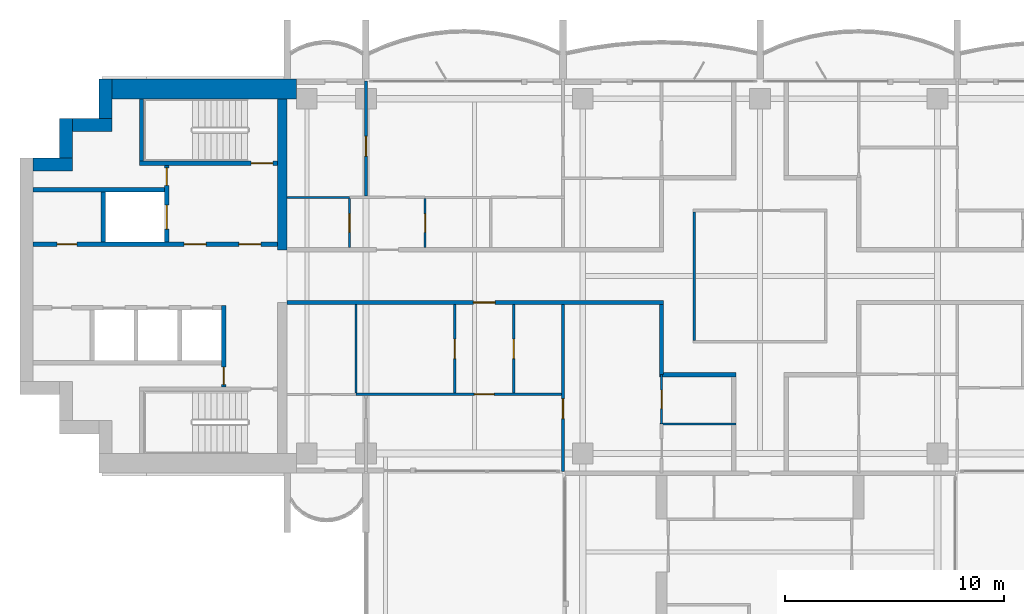
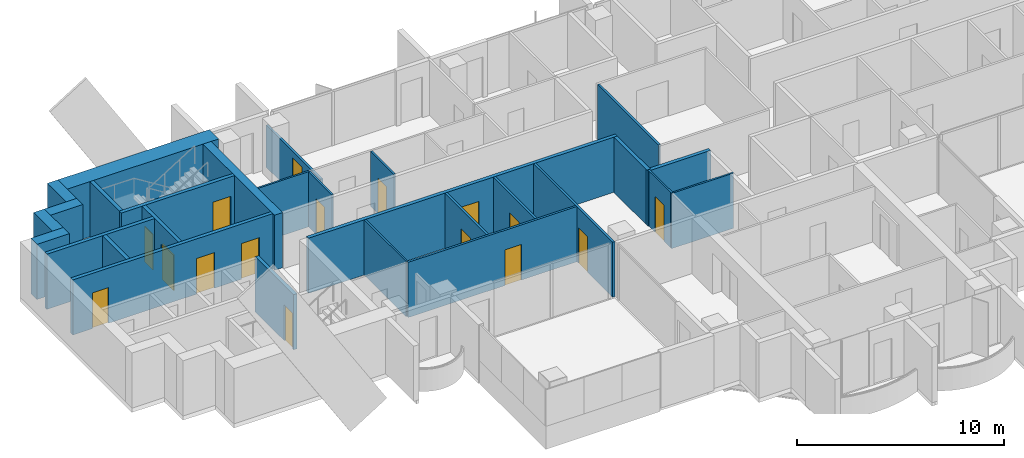
# One storey, part 9 of 17: 28 walls, 16 doors, 16 openings.
"""IFC4 building model written with IfcOpenShell, lengths in metres."""

from ifc_helpers import new_model, si_unit, direction, frame, frame_2d, origin, place, context, subcontext, project, spatial, rectangle, extrude, material, layer, layer_set, type_object, element, fill, save


model = new_model("IFC4")

# Units and contexts
model_context = context("Model", 3, precision=1e-05, world=origin(), true_north=direction((0.0, 1.0)))
body_context = subcontext(model_context, "Body", "Model", "MODEL_VIEW")
ifc_project = project(units=[si_unit("LENGTHUNIT", "METRE"), si_unit("AREAUNIT", "SQUARE_METRE"), si_unit("VOLUMEUNIT", "CUBIC_METRE"), si_unit("PLANEANGLEUNIT", "RADIAN"), si_unit("MASSUNIT", "GRAM", prefix="KILO")], contexts=[model_context])

# Site, building, storey
site_placement = place(None, origin())
site = spatial("IfcSite", under=ifc_project, at=site_placement, CompositionType="ELEMENT")
building_placement = place(site_placement, origin())
building = spatial("IfcBuilding", under=site, at=building_placement, Name="Perihelion Cross Residences", CompositionType="ELEMENT")
storey_placement = place(building_placement, frame((0.0, 0.0, 208.60009765625)))
storey = spatial("IfcBuildingStorey", under=building, at=storey_placement, Name="L52", CompositionType="ELEMENT", Elevation=208.60009765625)

# Wall, opening, door
ifc_material_1 = material(Name="Plasterboard partition")
ifc_layer_1 = layer(ifc_material_1, 0.199951171875)
ifc_layer_set_1 = layer_set([ifc_layer_1], Name="Apartment separation wall 200")
wall_type_1 = type_object("IfcWallType", Name="Apartment separation wall 200", PredefinedType="PARTITIONING", material=ifc_layer_set_1)
wall_1_placement = place(storey_placement, frame((-4.39990234375, -1.199951171875, 0.0), z_axis=(0.0, 0.0, 1.0), x_axis=(-1.0, 0.0, 0.0)))
wall_1 = element("IfcWall", 1, at=wall_1_placement, inside=storey, type_object=wall_type_1, Name="Partition L52 W017", PredefinedType="PARTITIONING", context=body_context, shape_type="SweptSolid", body=[
    extrude(rectangle(XDim=17.2001953125, YDim=0.199951171875, at=frame_2d((8.60009765625, 0.0))), origin(), (0.0, 0.0, 1.0), 3.25),
])
opening_1_placement = place(wall_1_placement, frame((7.699951171875, 0.0, 0.0)))
opening_1 = element("IfcOpeningElement", 2, at=opening_1_placement, cuts=wall_1, Name="Opening L52.A44", PredefinedType="OPENING", context=body_context, shape_type="SweptSolid", body=[
    extrude(rectangle(XDim=1.0, YDim=2.10009765625, at=frame_2d((0.5, 1.050048828125))), frame((0.0, 0.10986328125, 0.0), z_axis=(0.0, -1.0, 0.0), x_axis=(1.0, 0.0, 0.0)), (0.0, 0.0, 1.0), 0.219970703125),
])
ifc_material_2 = material(Name="Timber door leaf", Category="wood")
door_type_1 = type_object("IfcDoorType", Name="Flat entrance door 1000 x 2100", OperationType="SINGLE_SWING_LEFT", PredefinedType="DOOR", material=ifc_material_2)
door_1_placement = place(opening_1_placement, origin())
door_1 = element("IfcDoor", 3, at=door_1_placement, inside=storey, type_object=door_type_1, Name="Door L52.A44", OperationType="SINGLE_SWING_LEFT", OverallHeight=2.10009765625, OverallWidth=1.0, PredefinedType="DOOR", context=body_context, shape_type="SweptSolid", body=[
    extrude(rectangle(XDim=1.0, YDim=2.10009765625, at=frame_2d((0.5, 1.050048828125))), frame((0.0, 0.02490234375, 0.0), z_axis=(0.0, -1.0, 0.0), x_axis=(1.0, 0.0, 0.0)), (0.0, 0.0, 1.0), 0.050048828125),
])
fill(opening_1, door_1)

# Walls
wall_2_placement = place(storey_placement, frame((-4.5, -4.5, 0.0), z_axis=(0.0, 0.0, 1.0), x_axis=(0.0, 1.0, 0.0)))
element("IfcWall", 4, at=wall_2_placement, inside=storey, type_object=wall_type_1, Name="Partition L52 W018", PredefinedType="PARTITIONING", context=body_context, shape_type="SweptSolid", body=[
    extrude(rectangle(XDim=3.199951171875, YDim=0.199951171875, at=frame_2d((1.60009765625, 0.0))), origin(), (0.0, 0.0, 1.0), 3.25),
])
wall_3_placement = place(storey_placement, frame((-1.10009765625, -4.5, 0.0), z_axis=(0.0, 0.0, 1.0), x_axis=(-1.0, 0.0, 0.0)))
element("IfcWall", 5, at=wall_3_placement, inside=storey, type_object=wall_type_1, Name="Partition L52 W020", PredefinedType="PARTITIONING", context=body_context, shape_type="SweptSolid", body=[
    extrude(rectangle(XDim=3.5, YDim=0.199951171875, at=frame_2d((1.75, 0.0))), origin(), (0.0, 0.0, 1.0), 3.25),
])
ifc_material_3 = material(Name="Concrete C60/75", Category="concrete")
ifc_layer_2 = layer(ifc_material_3, 0.449951171875)
ifc_layer_set_2 = layer_set([ifc_layer_2], Name="Core wall, inner 450")
wall_type_2 = type_object("IfcWallType", Name="Core wall, inner 450", PredefinedType="SHEAR", material=ifc_layer_set_2)
wall_4_placement = place(storey_placement, frame((-21.824951171875, 1.199951171875, 0.0), z_axis=(0.0, 0.0, 1.0), x_axis=(0.0, 1.0, 0.0)))
element("IfcWall", 6, at=wall_4_placement, inside=storey, type_object=wall_type_2, Name="West core core wall, inner", PredefinedType="SHEAR", context=body_context, shape_type="SweptSolid", body=[
    extrude(rectangle(XDim=6.900146484375, YDim=0.449951171875, at=frame_2d((3.4501953125, 0.0))), origin(), (0.0, 0.0, 1.0), 3.25),
])
ifc_material_4 = material(Name="Concrete C60/75", Category="concrete")
ifc_layer_3 = layer(ifc_material_4, 0.60009765625)
ifc_layer_set_3 = layer_set([ifc_layer_3], Name="Core wall, outer 600")
wall_type_3 = type_object("IfcWallType", Name="Core wall, outer 600", PredefinedType="SHEAR", material=ifc_layer_set_3)
for number, where, z_axis, x_axis, name in (
    (7, (-33.199951171875, 5.10009765625, 0.0), (0.0, 0.0, 1.0), (1.0, 0.0, 0.0), "West core core wall, outer"),
    (8, (-31.699951171875, 5.39990234375, 0.0), (0.0, 0.0, 1.0), (0.0, 1.0, 0.0), "West core core wall, outer"),
):
    element("IfcWall", number, at=place(storey_placement, frame(where, z_axis=z_axis, x_axis=x_axis)), inside=storey, type_object=wall_type_3, Name=name, PredefinedType="SHEAR", context=body_context, shape_type="SweptSolid", body=[
        extrude(rectangle(XDim=1.800048828125, YDim=0.60009765625, at=frame_2d((0.89990234375, 0.0))), origin(), (0.0, 0.0, 1.0), 3.25),
    ])
wall_5_placement = place(storey_placement, frame((-31.39990234375, 6.89990234375, 0.0), z_axis=(0.0, 0.0, 1.0), x_axis=(1.0, 0.0, 0.0)))
element("IfcWall", 9, at=wall_5_placement, inside=storey, type_object=wall_type_3, Name="West core core wall, outer", PredefinedType="SHEAR", context=body_context, shape_type="SweptSolid", body=[
    extrude(rectangle(XDim=1.7998046875, YDim=0.60009765625, at=frame_2d((0.89990234375, 0.0))), origin(), (0.0, 0.0, 1.0), 3.25),
])
wall_6_placement = place(storey_placement, frame((-29.89990234375, 7.199951171875, 0.0), z_axis=(0.0, 0.0, 1.0), x_axis=(0.0, 1.0, 0.0)))
element("IfcWall", 10, at=wall_6_placement, inside=storey, type_object=wall_type_3, Name="West core core wall, outer", PredefinedType="SHEAR", context=body_context, shape_type="SweptSolid", body=[
    extrude(rectangle(XDim=1.800048828125, YDim=0.60009765625, at=frame_2d((0.89990234375, 0.0))), origin(), (0.0, 0.0, 1.0), 3.25),
])
ifc_material_5 = material(Name="Concrete C60/75", Category="concrete")
ifc_layer_4 = layer(ifc_material_5, 0.89990234375)
ifc_layer_set_4 = layer_set([ifc_layer_4], Name="Core wall, outer 900")
wall_type_4 = type_object("IfcWallType", Name="Core wall, outer 900", PredefinedType="SHEAR", material=ifc_layer_set_4)
wall_7_placement = place(storey_placement, frame((-29.60009765625, 8.550048828125, 0.0), z_axis=(0.0, 0.0, 1.0), x_axis=(1.0, 0.0, 0.0)))
element("IfcWall", 11, at=wall_7_placement, inside=storey, type_object=wall_type_4, Name="West core core wall, outer", PredefinedType="SHEAR", context=body_context, shape_type="SweptSolid", body=[
    extrude(rectangle(XDim=8.425048828125, YDim=0.89990234375, at=frame_2d((4.21240234375, 0.0))), origin(), (0.0, 0.0, 1.0), 3.25),
])

# Wall, opening, door
ifc_material_6 = material(Name="Concrete C50/60", Category="concrete")
ifc_layer_5 = layer(ifc_material_6, 0.199951171875)
ifc_layer_set_5 = layer_set([ifc_layer_5], Name="Lobby wall 200")
wall_type_5 = type_object("IfcWallType", Name="Lobby wall 200", PredefinedType="SOLIDWALL", material=ifc_layer_set_5)
wall_8_placement = place(storey_placement, frame((-24.5, -5.050048828125, 0.0), z_axis=(0.0, 0.0, 1.0), x_axis=(0.0, 1.0, 0.0)))
wall_8 = element("IfcWall", 12, at=wall_8_placement, inside=storey, type_object=wall_type_5, Name="West core lobby wall", PredefinedType="SOLIDWALL", context=body_context, shape_type="SweptSolid", body=[
    extrude(rectangle(XDim=3.699951171875, YDim=0.199951171875, at=frame_2d((1.85009765625, 0.0))), origin(), (0.0, 0.0, 1.0), 3.25),
])
opening_2_placement = place(wall_8_placement, frame((0.10009765625, 0.0, 0.0)))
opening_2 = element("IfcOpeningElement", 13, at=opening_2_placement, cuts=wall_8, Name="Opening L52.C20", PredefinedType="OPENING", context=body_context, shape_type="SweptSolid", body=[
    extrude(rectangle(XDim=0.800048828125, YDim=2.10009765625, at=frame_2d((0.39990234375, 1.050048828125))), frame((0.0, 0.10986328125, 0.0), z_axis=(0.0, -1.0, 0.0), x_axis=(1.0, 0.0, 0.0)), (0.0, 0.0, 1.0), 0.219970703125),
])
ifc_material_7 = material(Name="Steel, powder coated", Category="steel")
door_type_2 = type_object("IfcDoorType", Name="Riser door 800", OperationType="SINGLE_SWING_LEFT", PredefinedType="DOOR", material=ifc_material_7)
door_2_placement = place(opening_2_placement, origin())
door_2 = element("IfcDoor", 14, at=door_2_placement, inside=storey, type_object=door_type_2, Name="West core riser door", OperationType="SINGLE_SWING_LEFT", OverallHeight=2.10009765625, OverallWidth=0.800048828125, PredefinedType="DOOR", context=body_context, shape_type="SweptSolid", body=[
    extrude(rectangle(XDim=0.800048828125, YDim=2.10009765625, at=frame_2d((0.39990234375, 1.050048828125))), frame((0.0, 0.02490234375, 0.0), z_axis=(0.0, -1.0, 0.0), x_axis=(1.0, 0.0, 0.0)), (0.0, 0.0, 1.0), 0.050048828125),
])
fill(opening_2, door_2)

# Wall
ifc_material_8 = material(Name="Plasterboard partition")
ifc_layer_6 = layer(ifc_material_8, 0.1201171875)
ifc_layer_set_6 = layer_set([ifc_layer_6], Name="Partition wall 120")
wall_type_6 = type_object("IfcWallType", Name="Partition wall 120", PredefinedType="PARTITIONING", material=ifc_layer_set_6)
wall_9_placement = place(storey_placement, frame((-3.0, 2.93994140625, 0.0), z_axis=(0.0, 0.0, 1.0), x_axis=(0.0, -1.0, 0.0)))
element("IfcWall", 15, at=wall_9_placement, inside=storey, type_object=wall_type_6, Name="Partition L52 W004", PredefinedType="PARTITIONING", context=body_context, shape_type="SweptSolid", body=[
    extrude(rectangle(XDim=5.8798828125, YDim=0.1201171875, at=frame_2d((2.93994140625, 0.0))), origin(), (0.0, 0.0, 1.0), 3.25),
])

# Wall, opening, door
wall_10_placement = place(storey_placement, frame((-18.0, 3.659912109375, 0.0), z_axis=(0.0, 0.0, 1.0), x_axis=(0.0, 1.0, 0.0)))
wall_10 = element("IfcWall", 16, at=wall_10_placement, inside=storey, type_object=wall_type_6, Name="Partition L52 W050", PredefinedType="PARTITIONING", context=body_context, shape_type="SweptSolid", body=[
    extrude(rectangle(XDim=5.260009765625, YDim=0.1201171875, at=frame_2d((2.6298828125, 0.0))), origin(), (0.0, 0.0, 1.0), 2.47998046875),
])
opening_3_placement = place(wall_10_placement, frame((1.820068359375, 0.0, 0.0)))
opening_3 = element("IfcOpeningElement", 17, at=opening_3_placement, cuts=wall_10, Name="Opening L52.A20", PredefinedType="OPENING", context=body_context, shape_type="SweptSolid", body=[
    extrude(rectangle(XDim=0.89990234375, YDim=2.10009765625, at=frame_2d((0.449951171875, 1.050048828125))), frame((0.0, 0.070068359375, 0.0), z_axis=(0.0, -1.0, 0.0), x_axis=(1.0, 0.0, 0.0)), (0.0, 0.0, 1.0), 0.14013671875),
])
ifc_material_9 = material(Name="Timber door leaf", Category="wood")
door_type_3 = type_object("IfcDoorType", Name="Interior room door 900 x 2100", OperationType="SINGLE_SWING_LEFT", PredefinedType="DOOR", material=ifc_material_9)
door_3_placement = place(opening_3_placement, origin())
door_3 = element("IfcDoor", 18, at=door_3_placement, inside=storey, type_object=door_type_3, Name="Door L52.A20", OperationType="SINGLE_SWING_RIGHT", OverallHeight=2.10009765625, OverallWidth=0.89990234375, PredefinedType="DOOR", context=body_context, shape_type="SweptSolid", body=[
    extrude(rectangle(XDim=0.89990234375, YDim=2.10009765625, at=frame_2d((0.449951171875, 1.050048828125))), frame((0.0, 0.02490234375, 0.0), z_axis=(0.0, -1.0, 0.0), x_axis=(1.0, 0.0, 0.0)), (0.0, 0.0, 1.0), 0.050048828125),
])
fill(opening_3, door_3)

wall_11_placement = place(storey_placement, frame((-11.25, -5.340087890625, 0.0), z_axis=(0.0, 0.0, 1.0), x_axis=(0.0, 1.0, 0.0)))
wall_11 = element("IfcWall", 19, at=wall_11_placement, inside=storey, type_object=wall_type_6, Name="Partition L52 W053", PredefinedType="PARTITIONING", context=body_context, shape_type="SweptSolid", body=[
    extrude(rectangle(XDim=4.0400390625, YDim=0.1201171875, at=frame_2d((2.02001953125, 0.0))), origin(), (0.0, 0.0, 1.0), 3.25),
])
opening_4_placement = place(wall_11_placement, frame((1.570068359375, 0.0, 0.0)))
opening_4 = element("IfcOpeningElement", 20, at=opening_4_placement, cuts=wall_11, Name="Opening L52.A32", PredefinedType="OPENING", context=body_context, shape_type="SweptSolid", body=[
    extrude(rectangle(XDim=0.89990234375, YDim=2.10009765625, at=frame_2d((0.449951171875, 1.050048828125))), frame((0.0, 0.070068359375, 0.0), z_axis=(0.0, -1.0, 0.0), x_axis=(1.0, 0.0, 0.0)), (0.0, 0.0, 1.0), 0.14013671875),
])
door_4_placement = place(opening_4_placement, origin())
door_4 = element("IfcDoor", 21, at=door_4_placement, inside=storey, type_object=door_type_3, Name="Door L52.A32", OperationType="SINGLE_SWING_LEFT", OverallHeight=2.10009765625, OverallWidth=0.89990234375, PredefinedType="DOOR", context=body_context, shape_type="SweptSolid", body=[
    extrude(rectangle(XDim=0.89990234375, YDim=2.10009765625, at=frame_2d((0.449951171875, 1.050048828125))), frame((0.0, 0.02490234375, 0.0), z_axis=(0.0, -1.0, 0.0), x_axis=(1.0, 0.0, 0.0)), (0.0, 0.0, 1.0), 0.050048828125),
])
fill(opening_4, door_4)

wall_12_placement = place(storey_placement, frame((-8.93994140625, -5.39990234375, 0.0), z_axis=(0.0, 0.0, 1.0), x_axis=(-1.0, 0.0, 0.0)))
wall_12 = element("IfcWall", 22, at=wall_12_placement, inside=storey, type_object=wall_type_6, Name="Partition L52 W054", PredefinedType="PARTITIONING", context=body_context, shape_type="SweptSolid", body=[
    extrude(rectangle(XDim=9.510009765625, YDim=0.1201171875, at=frame_2d((4.7548828125, 0.0))), origin(), (0.0, 0.0, 1.0), 3.25),
])
opening_5_placement = place(wall_12_placement, frame((3.2099609375, 0.0, 0.0)))
opening_5 = element("IfcOpeningElement", 23, at=opening_5_placement, cuts=wall_12, Name="Opening L52.A29", PredefinedType="OPENING", context=body_context, shape_type="SweptSolid", body=[
    extrude(rectangle(XDim=0.89990234375, YDim=2.10009765625, at=frame_2d((0.449951171875, 1.050048828125))), frame((0.0, 0.070068359375, 0.0), z_axis=(0.0, -1.0, 0.0), x_axis=(1.0, 0.0, 0.0)), (0.0, 0.0, 1.0), 0.14013671875),
])
door_5_placement = place(opening_5_placement, origin())
door_5 = element("IfcDoor", 24, at=door_5_placement, inside=storey, type_object=door_type_3, Name="Door L52.A29", OperationType="SINGLE_SWING_LEFT", OverallHeight=2.10009765625, OverallWidth=0.89990234375, PredefinedType="DOOR", context=body_context, shape_type="SweptSolid", body=[
    extrude(rectangle(XDim=0.89990234375, YDim=2.10009765625, at=frame_2d((0.449951171875, 1.050048828125))), frame((0.0, 0.02490234375, 0.0), z_axis=(0.0, -1.0, 0.0), x_axis=(1.0, 0.0, 0.0)), (0.0, 0.0, 1.0), 0.050048828125),
])
fill(opening_5, door_5)

wall_13_placement = place(storey_placement, frame((-9.0, -1.300048828125, 0.0), z_axis=(0.0, 0.0, 1.0), x_axis=(0.0, -1.0, 0.0)))
wall_13 = element("IfcWall", 25, at=wall_13_placement, inside=storey, type_object=wall_type_6, Name="Partition L52 W055", PredefinedType="PARTITIONING", context=body_context, shape_type="SweptSolid", body=[
    extrude(rectangle(XDim=7.619873046875, YDim=0.1201171875, at=frame_2d((3.81005859375, 0.0))), origin(), (0.0, 0.0, 1.0), 3.25),
])
opening_6_placement = place(wall_13_placement, frame((4.300048828125, 0.0, 0.0)))
opening_6 = element("IfcOpeningElement", 26, at=opening_6_placement, cuts=wall_13, Name="Opening L52.A30", PredefinedType="OPENING", context=body_context, shape_type="SweptSolid", body=[
    extrude(rectangle(XDim=0.89990234375, YDim=2.10009765625, at=frame_2d((0.449951171875, 1.050048828125))), frame((0.0, 0.070068359375, 0.0), z_axis=(0.0, -1.0, 0.0), x_axis=(1.0, 0.0, 0.0)), (0.0, 0.0, 1.0), 0.14013671875),
])
door_6_placement = place(opening_6_placement, origin())
door_6 = element("IfcDoor", 27, at=door_6_placement, inside=storey, type_object=door_type_3, Name="Door L52.A30", OperationType="SINGLE_SWING_RIGHT", OverallHeight=2.10009765625, OverallWidth=0.89990234375, PredefinedType="DOOR", context=body_context, shape_type="SweptSolid", body=[
    extrude(rectangle(XDim=0.89990234375, YDim=2.10009765625, at=frame_2d((0.449951171875, 1.050048828125))), frame((0.0, 0.02490234375, 0.0), z_axis=(0.0, -1.0, 0.0), x_axis=(1.0, 0.0, 0.0)), (0.0, 0.0, 1.0), 0.050048828125),
])
fill(opening_6, door_6)

wall_14_placement = place(storey_placement, frame((-13.949951171875, -5.340087890625, 0.0), z_axis=(0.0, 0.0, 1.0), x_axis=(0.0, 1.0, 0.0)))
wall_14 = element("IfcWall", 28, at=wall_14_placement, inside=storey, type_object=wall_type_6, Name="Partition L52 W056", PredefinedType="PARTITIONING", context=body_context, shape_type="SweptSolid", body=[
    extrude(rectangle(XDim=4.0400390625, YDim=0.1201171875, at=frame_2d((2.02001953125, 0.0))), origin(), (0.0, 0.0, 1.0), 3.25),
])
opening_7_placement = place(wall_14_placement, frame((1.570068359375, 0.0, 0.0)))
opening_7 = element("IfcOpeningElement", 29, at=opening_7_placement, cuts=wall_14, Name="Opening L52.A27", PredefinedType="OPENING", context=body_context, shape_type="SweptSolid", body=[
    extrude(rectangle(XDim=0.89990234375, YDim=2.10009765625, at=frame_2d((0.449951171875, 1.050048828125))), frame((0.0, 0.070068359375, 0.0), z_axis=(0.0, -1.0, 0.0), x_axis=(1.0, 0.0, 0.0)), (0.0, 0.0, 1.0), 0.14013671875),
])
door_7_placement = place(opening_7_placement, origin())
door_7 = element("IfcDoor", 30, at=door_7_placement, inside=storey, type_object=door_type_3, Name="Door L52.A27", OperationType="SINGLE_SWING_LEFT", OverallHeight=2.10009765625, OverallWidth=0.89990234375, PredefinedType="DOOR", context=body_context, shape_type="SweptSolid", body=[
    extrude(rectangle(XDim=0.89990234375, YDim=2.10009765625, at=frame_2d((0.449951171875, 1.050048828125))), frame((0.0, 0.02490234375, 0.0), z_axis=(0.0, -1.0, 0.0), x_axis=(1.0, 0.0, 0.0)), (0.0, 0.0, 1.0), 0.050048828125),
])
fill(opening_7, door_7)

# Wall, openings, doors
ifc_material_10 = material(Name="Concrete C50/60", Category="concrete")
ifc_layer_7 = layer(ifc_material_10, 0.199951171875)
ifc_layer_set_7 = layer_set([ifc_layer_7], Name="Shaft wall 200")
wall_type_7 = type_object("IfcWallType", Name="Shaft wall 200", PredefinedType="SOLIDWALL", material=ifc_layer_set_7)
wall_15_placement = place(storey_placement, frame((-33.199951171875, 1.449951171875, 0.0), z_axis=(0.0, 0.0, 1.0), x_axis=(1.0, 0.0, 0.0)))
wall_15 = element("IfcWall", 31, at=wall_15_placement, inside=storey, type_object=wall_type_7, Name="West core shaft wall", PredefinedType="SOLIDWALL", context=body_context, shape_type="SweptSolid", body=[
    extrude(rectangle(XDim=11.14990234375, YDim=0.199951171875, at=frame_2d((5.574951171875, 0.0))), origin(), (0.0, 0.0, 1.0), 3.25),
])
opening_8_placement = place(wall_15_placement, frame((9.39990234375, 0.0, 0.0)))
opening_8 = element("IfcOpeningElement", 32, at=opening_8_placement, cuts=wall_15, Name="Opening L52.C19", PredefinedType="OPENING", context=body_context, shape_type="SweptSolid", body=[
    extrude(rectangle(XDim=1.0, YDim=2.10009765625, at=frame_2d((0.5, 1.050048828125))), frame((0.0, 0.10986328125, 0.0), z_axis=(0.0, -1.0, 0.0), x_axis=(1.0, 0.0, 0.0)), (0.0, 0.0, 1.0), 0.219970703125),
])
opening_9_placement = place(wall_15_placement, frame((6.89990234375, 0.0, 0.0)))
opening_9 = element("IfcOpeningElement", 33, at=opening_9_placement, cuts=wall_15, Name="Opening L52.C21", PredefinedType="OPENING", context=body_context, shape_type="SweptSolid", body=[
    extrude(rectangle(XDim=1.0, YDim=2.10009765625, at=frame_2d((0.5, 1.050048828125))), frame((0.0, 0.10986328125, 0.0), z_axis=(0.0, -1.0, 0.0), x_axis=(1.0, 0.0, 0.0)), (0.0, 0.0, 1.0), 0.219970703125),
])
opening_10_placement = place(wall_15_placement, frame((1.10009765625, 0.0, 0.0)))
opening_10 = element("IfcOpeningElement", 34, at=opening_10_placement, cuts=wall_15, Name="Opening L52.C23", PredefinedType="OPENING", context=body_context, shape_type="SweptSolid", body=[
    extrude(rectangle(XDim=0.89990234375, YDim=2.10009765625, at=frame_2d((0.449951171875, 1.050048828125))), frame((0.0, 0.10986328125, 0.0), z_axis=(0.0, -1.0, 0.0), x_axis=(1.0, 0.0, 0.0)), (0.0, 0.0, 1.0), 0.219970703125),
])
ifc_material_11 = material(Name="Steel, powder coated", Category="steel")
door_type_4 = type_object("IfcDoorType", Name="Lobby door 1000", OperationType="SINGLE_SWING_LEFT", PredefinedType="DOOR", material=ifc_material_11)
door_8_placement = place(opening_8_placement, origin())
door_8 = element("IfcDoor", 35, at=door_8_placement, inside=storey, type_object=door_type_4, Name="West core firefighting lobby door", OperationType="SINGLE_SWING_LEFT", OverallHeight=2.10009765625, OverallWidth=1.0, PredefinedType="DOOR", context=body_context, shape_type="SweptSolid", body=[
    extrude(rectangle(XDim=1.0, YDim=2.10009765625, at=frame_2d((0.5, 1.050048828125))), frame((0.0, 0.02490234375, 0.0), z_axis=(0.0, -1.0, 0.0), x_axis=(1.0, 0.0, 0.0)), (0.0, 0.0, 1.0), 0.050048828125),
])
fill(opening_8, door_8)
door_9_placement = place(opening_9_placement, origin())
door_9 = element("IfcDoor", 36, at=door_9_placement, inside=storey, type_object=door_type_4, Name="West core firefighting lobby door", OperationType="SINGLE_SWING_LEFT", OverallHeight=2.10009765625, OverallWidth=1.0, PredefinedType="DOOR", context=body_context, shape_type="SweptSolid", body=[
    extrude(rectangle(XDim=1.0, YDim=2.10009765625, at=frame_2d((0.5, 1.050048828125))), frame((0.0, 0.02490234375, 0.0), z_axis=(0.0, -1.0, 0.0), x_axis=(1.0, 0.0, 0.0)), (0.0, 0.0, 1.0), 0.050048828125),
])
fill(opening_9, door_9)
ifc_material_12 = material(Name="Steel, powder coated", Category="steel")
door_type_5 = type_object("IfcDoorType", Name="Service room door 900", OperationType="SINGLE_SWING_LEFT", PredefinedType="DOOR", material=ifc_material_12)
door_10_placement = place(opening_10_placement, origin())
door_10 = element("IfcDoor", 37, at=door_10_placement, inside=storey, type_object=door_type_5, Name="West core service room door", OperationType="SINGLE_SWING_LEFT", OverallHeight=2.10009765625, OverallWidth=0.89990234375, PredefinedType="DOOR", context=body_context, shape_type="SweptSolid", body=[
    extrude(rectangle(XDim=0.89990234375, YDim=2.10009765625, at=frame_2d((0.449951171875, 1.050048828125))), frame((0.0, 0.02490234375, 0.0), z_axis=(0.0, -1.0, 0.0), x_axis=(1.0, 0.0, 0.0)), (0.0, 0.0, 1.0), 0.050048828125),
])
fill(opening_10, door_10)

# Wall
wall_16_placement = place(storey_placement, frame((-33.199951171875, 3.949951171875, 0.0), z_axis=(0.0, 0.0, 1.0), x_axis=(1.0, 0.0, 0.0)))
element("IfcWall", 38, at=wall_16_placement, inside=storey, type_object=wall_type_7, Name="West core shaft wall", PredefinedType="SOLIDWALL", context=body_context, shape_type="SweptSolid", body=[
    extrude(rectangle(XDim=6.0, YDim=0.199951171875, at=frame_2d((3.0, 0.0))), origin(), (0.0, 0.0, 1.0), 3.25),
])

# Wall, openings, doors
wall_17_placement = place(storey_placement, frame((-27.10009765625, 1.550048828125, 0.0), z_axis=(0.0, 0.0, 1.0), x_axis=(0.0, 1.0, 0.0)))
wall_17 = element("IfcWall", 39, at=wall_17_placement, inside=storey, type_object=wall_type_7, Name="West core shaft wall", PredefinedType="SOLIDWALL", context=body_context, shape_type="SweptSolid", body=[
    extrude(rectangle(XDim=3.5, YDim=0.199951171875, at=frame_2d((1.75, 0.0))), origin(), (0.0, 0.0, 1.0), 3.25),
])
opening_11_placement = place(wall_17_placement, frame((0.60009765625, 0.0, 0.0)))
opening_11 = element("IfcOpeningElement", 40, at=opening_11_placement, cuts=wall_17, Name="Opening L52.C14", PredefinedType="OPENING", context=body_context, shape_type="SweptSolid", body=[
    extrude(rectangle(XDim=1.10009765625, YDim=2.10009765625, at=frame_2d((0.550048828125, 1.050048828125))), frame((0.0, 0.10986328125, 0.0), z_axis=(0.0, -1.0, 0.0), x_axis=(1.0, 0.0, 0.0)), (0.0, 0.0, 1.0), 0.219970703125),
])
opening_12_placement = place(wall_17_placement, frame((2.60009765625, 0.0, 0.0)))
opening_12 = element("IfcOpeningElement", 41, at=opening_12_placement, cuts=wall_17, Name="Opening L52.C22", PredefinedType="OPENING", context=body_context, shape_type="SweptSolid", body=[
    extrude(rectangle(XDim=0.800048828125, YDim=2.10009765625, at=frame_2d((0.39990234375, 1.050048828125))), frame((0.0, 0.10986328125, 0.0), z_axis=(0.0, -1.0, 0.0), x_axis=(1.0, 0.0, 0.0)), (0.0, 0.0, 1.0), 0.219970703125),
])
ifc_material_13 = material(Name="Stainless steel", Category="steel")
door_type_6 = type_object("IfcDoorType", Name="Landing door, firefighting lift 1100", OperationType="DOUBLE_DOOR_SLIDING", PredefinedType="DOOR", material=ifc_material_13)
door_11_placement = place(opening_11_placement, origin())
door_11 = element("IfcDoor", 42, at=door_11_placement, inside=storey, type_object=door_type_6, Name="Landing door, West core firefighting and service lift", OperationType="DOUBLE_DOOR_SLIDING", OverallHeight=2.10009765625, OverallWidth=1.10009765625, PredefinedType="DOOR", context=body_context, shape_type="SweptSolid", body=[
    extrude(rectangle(XDim=1.10009765625, YDim=2.10009765625, at=frame_2d((0.550048828125, 1.050048828125))), frame((0.0, 0.02490234375, 0.0), z_axis=(0.0, -1.0, 0.0), x_axis=(1.0, 0.0, 0.0)), (0.0, 0.0, 1.0), 0.050048828125),
])
fill(opening_11, door_11)
door_12_placement = place(opening_12_placement, origin())
door_12 = element("IfcDoor", 43, at=door_12_placement, inside=storey, type_object=door_type_2, Name="West core riser door", OperationType="SINGLE_SWING_LEFT", OverallHeight=2.10009765625, OverallWidth=0.800048828125, PredefinedType="DOOR", context=body_context, shape_type="SweptSolid", body=[
    extrude(rectangle(XDim=0.800048828125, YDim=2.10009765625, at=frame_2d((0.39990234375, 1.050048828125))), frame((0.0, 0.02490234375, 0.0), z_axis=(0.0, -1.0, 0.0), x_axis=(1.0, 0.0, 0.0)), (0.0, 0.0, 1.0), 0.050048828125),
])
fill(opening_12, door_12)

# Wall
wall_18_placement = place(storey_placement, frame((-30.0, 1.550048828125, 0.0), z_axis=(0.0, 0.0, 1.0), x_axis=(0.0, 1.0, 0.0)))
element("IfcWall", 44, at=wall_18_placement, inside=storey, type_object=wall_type_7, Name="West core shaft wall", PredefinedType="SOLIDWALL", context=body_context, shape_type="SweptSolid", body=[
    extrude(rectangle(XDim=2.300048828125, YDim=0.199951171875, at=frame_2d((1.14990234375, 0.0))), origin(), (0.0, 0.0, 1.0), 3.25),
])

# Wall, opening, door
ifc_material_14 = material(Name="Concrete C50/60", Category="concrete")
ifc_layer_8 = layer(ifc_material_14, 0.199951171875)
ifc_layer_set_8 = layer_set([ifc_layer_8], Name="Stair wall 200")
wall_type_8 = type_object("IfcWallType", Name="Stair wall 200", PredefinedType="SOLIDWALL", material=ifc_layer_set_8)
wall_19_placement = place(storey_placement, frame((-28.35009765625, 5.14990234375, 0.0), z_axis=(0.0, 0.0, 1.0), x_axis=(1.0, 0.0, 0.0)))
wall_19 = element("IfcWall", 45, at=wall_19_placement, inside=storey, type_object=wall_type_8, Name="West core stair wall", PredefinedType="SOLIDWALL", context=body_context, shape_type="SweptSolid", body=[
    extrude(rectangle(XDim=6.300048828125, YDim=0.199951171875, at=frame_2d((3.14990234375, 0.0))), origin(), (0.0, 0.0, 1.0), 3.25),
])
opening_13_placement = place(wall_19_placement, frame((5.10009765625, 0.0, 0.0)))
opening_13 = element("IfcOpeningElement", 46, at=opening_13_placement, cuts=wall_19, Name="Opening L52.C18", PredefinedType="OPENING", context=body_context, shape_type="SweptSolid", body=[
    extrude(rectangle(XDim=1.0, YDim=2.10009765625, at=frame_2d((0.5, 1.050048828125))), frame((0.0, 0.10986328125, 0.0), z_axis=(0.0, -1.0, 0.0), x_axis=(1.0, 0.0, 0.0)), (0.0, 0.0, 1.0), 0.219970703125),
])
ifc_material_15 = material(Name="Steel, powder coated", Category="steel")
door_type_7 = type_object("IfcDoorType", Name="Stair door 1000", OperationType="SINGLE_SWING_LEFT", PredefinedType="DOOR", material=ifc_material_15)
door_13_placement = place(opening_13_placement, origin())
door_13 = element("IfcDoor", 47, at=door_13_placement, inside=storey, type_object=door_type_7, Name="West core stair door", OperationType="SINGLE_SWING_LEFT", OverallHeight=2.10009765625, OverallWidth=1.0, PredefinedType="DOOR", context=body_context, shape_type="SweptSolid", body=[
    extrude(rectangle(XDim=1.0, YDim=2.10009765625, at=frame_2d((0.5, 1.050048828125))), frame((0.0, 0.02490234375, 0.0), z_axis=(0.0, -1.0, 0.0), x_axis=(1.0, 0.0, 0.0)), (0.0, 0.0, 1.0), 0.050048828125),
])
fill(opening_13, door_13)

# Wall
wall_20_placement = place(storey_placement, frame((-28.25, 5.25, 0.0), z_axis=(0.0, 0.0, 1.0), x_axis=(0.0, 1.0, 0.0)))
element("IfcWall", 48, at=wall_20_placement, inside=storey, type_object=wall_type_8, Name="West core stair wall", PredefinedType="SOLIDWALL", context=body_context, shape_type="SweptSolid", body=[
    extrude(rectangle(XDim=2.85009765625, YDim=0.199951171875, at=frame_2d((1.425048828125, 0.0))), origin(), (0.0, 0.0, 1.0), 3.25),
])

# Wall, opening, door
ifc_material_16 = material(Name="Plasterboard partition")
ifc_layer_9 = layer(ifc_material_16, 0.10009765625)
ifc_layer_set_9 = layer_set([ifc_layer_9], Name="Wet room wall 100")
wall_type_9 = type_object("IfcWallType", Name="Wet room wall 100", PredefinedType="PARTITIONING", material=ifc_layer_set_9)
wall_21_placement = place(storey_placement, frame((-15.300048828125, 1.300048828125, 0.0), z_axis=(0.0, 0.0, 1.0), x_axis=(0.0, 1.0, 0.0)))
wall_21 = element("IfcWall", 49, at=wall_21_placement, inside=storey, type_object=wall_type_9, Name="Partition L52 W045", PredefinedType="PARTITIONING", context=body_context, shape_type="SweptSolid", body=[
    extrude(rectangle(XDim=2.239990234375, YDim=0.10009765625, at=frame_2d((1.1201171875, 0.0))), origin(), (0.0, 0.0, 1.0), 3.25),
])
opening_14_placement = place(wall_21_placement, frame((0.695068359375, 0.0, 0.0)))
opening_14 = element("IfcOpeningElement", 50, at=opening_14_placement, cuts=wall_21, Name="Opening L52.A26", PredefinedType="OPENING", context=body_context, shape_type="SweptSolid", body=[
    extrude(rectangle(XDim=0.85009765625, YDim=2.10009765625, at=frame_2d((0.425048828125, 1.050048828125))), frame((0.0, 0.06005859375, 0.0), z_axis=(0.0, -1.0, 0.0), x_axis=(1.0, 0.0, 0.0)), (0.0, 0.0, 1.0), 0.1201171875),
])
ifc_material_17 = material(Name="Timber door leaf", Category="wood")
door_type_8 = type_object("IfcDoorType", Name="Interior bathroom door 850 x 2100", OperationType="SINGLE_SWING_LEFT", PredefinedType="DOOR", material=ifc_material_17)
door_14_placement = place(opening_14_placement, origin())
door_14 = element("IfcDoor", 51, at=door_14_placement, inside=storey, type_object=door_type_8, Name="Door L52.A26", OperationType="SINGLE_SWING_RIGHT", OverallHeight=2.10009765625, OverallWidth=0.85009765625, PredefinedType="DOOR", context=body_context, shape_type="SweptSolid", body=[
    extrude(rectangle(XDim=0.85009765625, YDim=2.10009765625, at=frame_2d((0.425048828125, 1.050048828125))), frame((0.0, 0.02490234375, 0.0), z_axis=(0.0, -1.0, 0.0), x_axis=(1.0, 0.0, 0.0)), (0.0, 0.0, 1.0), 0.050048828125),
])
fill(opening_14, door_14)

wall_22_placement = place(storey_placement, frame((-18.75, 1.300048828125, 0.0), z_axis=(0.0, 0.0, 1.0), x_axis=(0.0, 1.0, 0.0)))
wall_22 = element("IfcWall", 52, at=wall_22_placement, inside=storey, type_object=wall_type_9, Name="Partition L52 W047", PredefinedType="PARTITIONING", context=body_context, shape_type="SweptSolid", body=[
    extrude(rectangle(XDim=2.239990234375, YDim=0.10009765625, at=frame_2d((1.1201171875, 0.0))), origin(), (0.0, 0.0, 1.0), 3.25),
])
opening_15_placement = place(wall_22_placement, frame((0.695068359375, 0.0, 0.0)))
opening_15 = element("IfcOpeningElement", 53, at=opening_15_placement, cuts=wall_22, Name="Opening L52.A19", PredefinedType="OPENING", context=body_context, shape_type="SweptSolid", body=[
    extrude(rectangle(XDim=0.85009765625, YDim=2.10009765625, at=frame_2d((0.425048828125, 1.050048828125))), frame((0.0, 0.06005859375, 0.0), z_axis=(0.0, -1.0, 0.0), x_axis=(1.0, 0.0, 0.0)), (0.0, 0.0, 1.0), 0.1201171875),
])
door_15_placement = place(opening_15_placement, origin())
door_15 = element("IfcDoor", 54, at=door_15_placement, inside=storey, type_object=door_type_8, Name="Door L52.A19", OperationType="SINGLE_SWING_LEFT", OverallHeight=2.10009765625, OverallWidth=0.85009765625, PredefinedType="DOOR", context=body_context, shape_type="SweptSolid", body=[
    extrude(rectangle(XDim=0.85009765625, YDim=2.10009765625, at=frame_2d((0.425048828125, 1.050048828125))), frame((0.0, 0.02490234375, 0.0), z_axis=(0.0, -1.0, 0.0), x_axis=(1.0, 0.0, 0.0)), (0.0, 0.0, 1.0), 0.050048828125),
])
fill(opening_15, door_15)

# Walls
wall_23_placement = place(storey_placement, frame((-21.60009765625, 3.60009765625, 0.0), z_axis=(0.0, 0.0, 1.0), x_axis=(1.0, 0.0, 0.0)))
element("IfcWall", 55, at=wall_23_placement, inside=storey, type_object=wall_type_9, Name="Partition L52 W049", PredefinedType="PARTITIONING", context=body_context, shape_type="SweptSolid", body=[
    extrude(rectangle(XDim=2.85009765625, YDim=0.10009765625, at=frame_2d((1.425048828125, 0.0))), origin(), (0.0, 0.0, 1.0), 3.25),
])
wall_24_placement = place(storey_placement, frame((-18.449951171875, -5.340087890625, 0.0), z_axis=(0.0, 0.0, 1.0), x_axis=(0.0, 1.0, 0.0)))
element("IfcWall", 56, at=wall_24_placement, inside=storey, type_object=wall_type_9, Name="Partition L52 W057", PredefinedType="PARTITIONING", context=body_context, shape_type="SweptSolid", body=[
    extrude(rectangle(XDim=4.0400390625, YDim=0.10009765625, at=frame_2d((2.02001953125, 0.0))), origin(), (0.0, 0.0, 1.0), 3.25),
])

# Wall, opening, door
wall_25_placement = place(storey_placement, frame((-4.5, -4.5, 0.0), z_axis=(0.0, 0.0, 1.0), x_axis=(0.0, -1.0, 0.0)))
wall_25 = element("IfcWall", 57, at=wall_25_placement, inside=storey, type_object=wall_type_9, Name="Partition L52 W060", PredefinedType="PARTITIONING", context=body_context, shape_type="SweptSolid", body=[
    extrude(rectangle(XDim=2.25, YDim=0.10009765625, at=frame_2d((1.125, 0.0))), origin(), (0.0, 0.0, 1.0), 3.25),
])
opening_16_placement = place(wall_25_placement, frame((0.699951171875, 0.0, 0.0)))
opening_16 = element("IfcOpeningElement", 58, at=opening_16_placement, cuts=wall_25, Name="Opening L52.A33", PredefinedType="OPENING", context=body_context, shape_type="SweptSolid", body=[
    extrude(rectangle(XDim=0.85009765625, YDim=2.10009765625, at=frame_2d((0.425048828125, 1.050048828125))), frame((0.0, 0.06005859375, 0.0), z_axis=(0.0, -1.0, 0.0), x_axis=(1.0, 0.0, 0.0)), (0.0, 0.0, 1.0), 0.1201171875),
])
door_16_placement = place(opening_16_placement, origin())
door_16 = element("IfcDoor", 59, at=door_16_placement, inside=storey, type_object=door_type_8, Name="Door L52.A33", OperationType="SINGLE_SWING_LEFT", OverallHeight=2.10009765625, OverallWidth=0.85009765625, PredefinedType="DOOR", context=body_context, shape_type="SweptSolid", body=[
    extrude(rectangle(XDim=0.85009765625, YDim=2.10009765625, at=frame_2d((0.425048828125, 1.050048828125))), frame((0.0, 0.02490234375, 0.0), z_axis=(0.0, -1.0, 0.0), x_axis=(1.0, 0.0, 0.0)), (0.0, 0.0, 1.0), 0.050048828125),
])
fill(opening_16, door_16)

# Wall
wall_26_placement = place(storey_placement, frame((-1.10009765625, -6.75, 0.0), z_axis=(0.0, 0.0, 1.0), x_axis=(-1.0, 0.0, 0.0)))
element("IfcWall", 60, at=wall_26_placement, inside=storey, type_object=wall_type_9, Name="Partition L52 W062", PredefinedType="PARTITIONING", context=body_context, shape_type="SweptSolid", body=[
    extrude(rectangle(XDim=3.4599609375, YDim=0.10009765625, at=frame_2d((1.72998046875, 0.0))), origin(), (0.0, 0.0, 1.0), 3.25),
])

save(model, "model.ifc")
